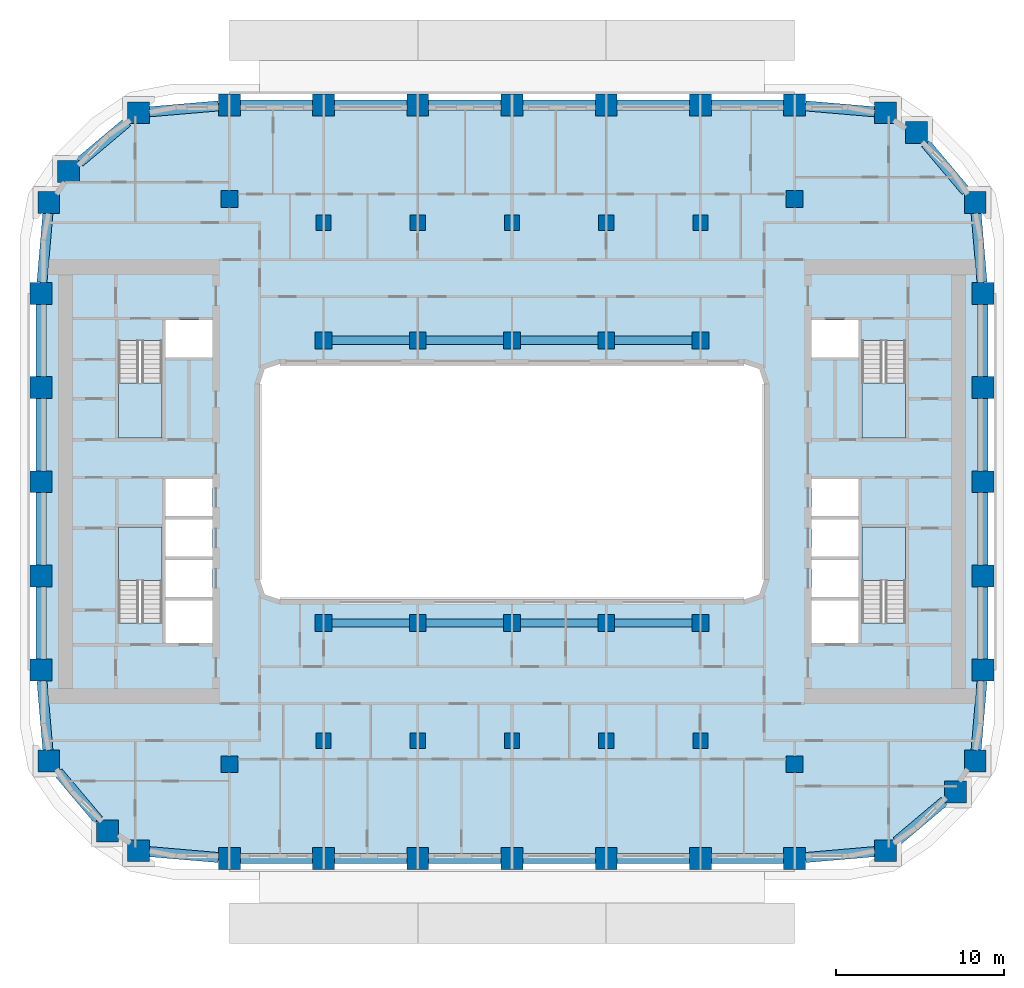
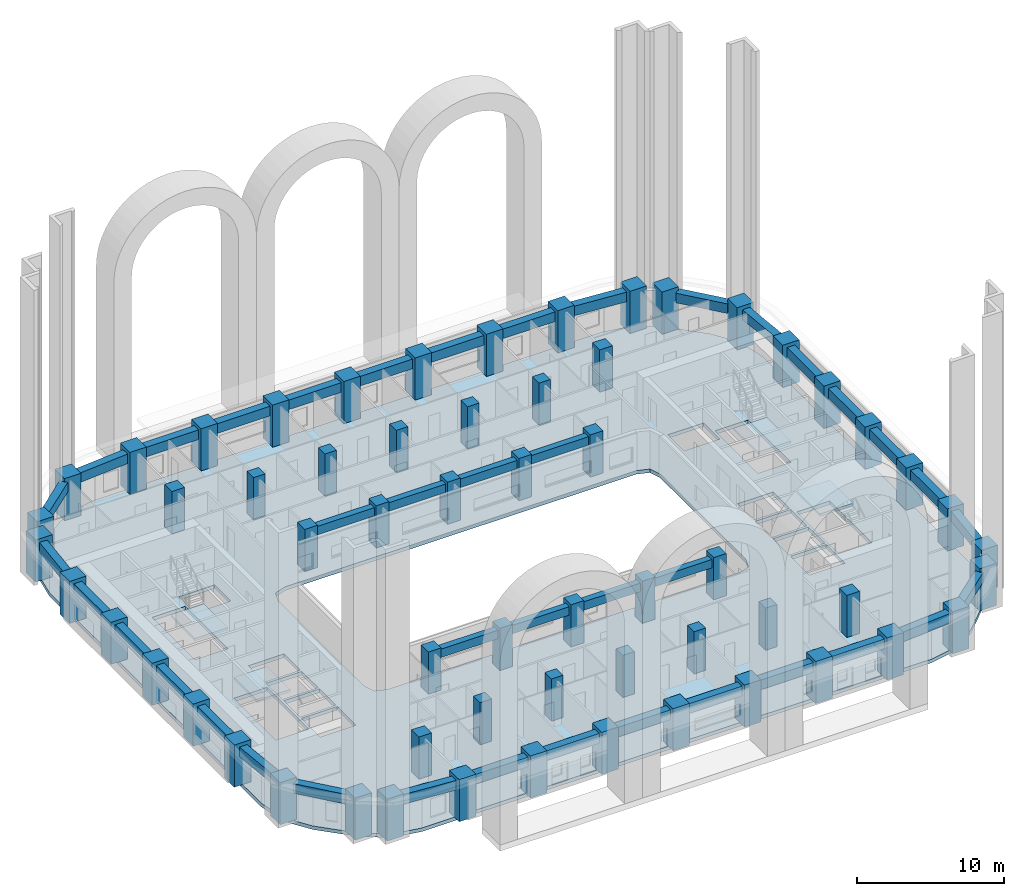
# One storey, part 1 of 19: 60 columns, 40 beams, 5 slabs, 4 elements without a shape of their own.
"""IFC4 building model written with IfcOpenShell, lengths in metres."""

from ifc_helpers import new_model, si_unit, direction, frame, origin, origin_2d, place, context, subcontext, project, spatial, polyline, rectangle, outline, extrude, material, layer, layer_set, material_profile, profile_set, type_object, element, aggregate, save


model = new_model("IFC4")

# Units and contexts
model_context = context("Model", 3, precision=1e-05, world=origin(), true_north=direction((0.0, 1.0)))
body_context = subcontext(model_context, "Body", "Model", "MODEL_VIEW")
ifc_project = project(units=[si_unit("LENGTHUNIT", "METRE"), si_unit("AREAUNIT", "SQUARE_METRE"), si_unit("VOLUMEUNIT", "CUBIC_METRE"), si_unit("PLANEANGLEUNIT", "RADIAN"), si_unit("MASSUNIT", "GRAM", prefix="KILO")], contexts=[model_context])

# Site, building, storey
site_placement = place(None, origin())
site = spatial("IfcSite", under=ifc_project, at=site_placement, CompositionType="ELEMENT")
building_placement = place(site_placement, origin())
building = spatial("IfcBuilding", under=site, at=building_placement, Name="Kiln Ring Residences", CompositionType="ELEMENT")
storey_placement = place(building_placement, frame((0.0, 0.0, 83.300048828125)))
storey = spatial("IfcBuildingStorey", under=building, at=storey_placement, Name="L20", CompositionType="ELEMENT", Elevation=83.300048828125)

# Columns
ifc_material_1 = material(Name="Concrete C80/95", Category="concrete")
ifc_material_profile_1 = material_profile(ifc_material_1, rectangle(XDim=0.89990234375, YDim=0.89990234375, at=origin_2d()), Name="RC900x900")
ifc_profile_set_1 = profile_set([ifc_material_profile_1], Name="Concrete C80/95")
column_type_1 = type_object("IfcColumnType", Name="Corridor column RC900x900 C80/95", PredefinedType="COLUMN", material=ifc_profile_set_1)
for number, where, z_axis, x_axis, name in (
    (1, (-11.199951171875, 15.39990234375, 0.0), (0.0, 0.0, 1.0), (1.0, 0.0, 0.0), "Corridor column L20 1"),
    (2, (-5.60009765625, 15.39990234375, 0.0), (0.0, 0.0, 1.0), (1.0, 0.0, 0.0), "Corridor column L20 2"),
    (3, (0.0, 15.39990234375, 0.0), (0.0, 0.0, 1.0), (1.0, 0.0, 0.0), "Corridor column L20 3"),
    (4, (5.60009765625, 15.39990234375, 0.0), (0.0, 0.0, 1.0), (1.0, 0.0, 0.0), "Corridor column L20 4"),
    (5, (11.199951171875, 15.39990234375, 0.0), (0.0, 0.0, 1.0), (1.0, 0.0, 0.0), "Corridor column L20 5"),
    (6, (-11.199951171875, -15.39990234375, 0.0), (0.0, 0.0, 1.0), (1.0, 0.0, 0.0), "Corridor column L20 6"),
    (7, (-5.60009765625, -15.39990234375, 0.0), (0.0, 0.0, 1.0), (1.0, 0.0, 0.0), "Corridor column L20 7"),
    (8, (0.0, -15.39990234375, 0.0), (0.0, 0.0, 1.0), (1.0, 0.0, 0.0), "Corridor column L20 8"),
    (9, (5.60009765625, -15.39990234375, 0.0), (0.0, 0.0, 1.0), (1.0, 0.0, 0.0), "Corridor column L20 9"),
    (10, (11.199951171875, -15.39990234375, 0.0), (0.0, 0.0, 1.0), (1.0, 0.0, 0.0), "Corridor column L20 10"),
):
    element("IfcColumn", number, at=place(storey_placement, frame(where, z_axis=z_axis, x_axis=x_axis)), inside=storey, type_object=column_type_1, Name=name, PredefinedType="COLUMN", context=body_context, shape_type="SweptSolid", body=[
        extrude(rectangle(XDim=0.89990234375, YDim=0.89990234375, at=origin_2d()), origin(), (0.0, 0.0, 1.0), 3.5),
    ])
ifc_material_2 = material(Name="Concrete C80/95", Category="concrete")
ifc_material_profile_2 = material_profile(ifc_material_2, rectangle(XDim=1.300048828125, YDim=1.300048828125, at=origin_2d()), Name="RC1300x1300")
ifc_profile_set_2 = profile_set([ifc_material_profile_2], Name="Concrete C80/95")
column_type_2 = type_object("IfcColumnType", Name="Perimeter column RC1300x1300 C80/95", PredefinedType="COLUMN", material=ifc_profile_set_2)
for number, where, z_axis, x_axis, name in (
    (11, (-22.208740234375, -21.93798828125, 0.0), (0.0, 0.0, 1.0), (1.0, 0.0, 0.0), "Perimeter column L20 1"),
    (12, (-16.800048828125, -22.39990234375, 0.0), (0.0, 0.0, 1.0), (1.0, 0.0, 0.0), "Perimeter column L20 2"),
    (13, (-11.199951171875, -22.39990234375, 0.0), (0.0, 0.0, 1.0), (1.0, 0.0, 0.0), "Perimeter column L20 3"),
    (14, (-5.60009765625, -22.39990234375, 0.0), (0.0, 0.0, 1.0), (1.0, 0.0, 0.0), "Perimeter column L20 4"),
    (15, (0.0, -22.39990234375, 0.0), (0.0, 0.0, 1.0), (1.0, 0.0, 0.0), "Perimeter column L20 5"),
    (16, (5.60009765625, -22.39990234375, 0.0), (0.0, 0.0, 1.0), (1.0, 0.0, 0.0), "Perimeter column L20 6"),
    (17, (11.199951171875, -22.39990234375, 0.0), (0.0, 0.0, 1.0), (1.0, 0.0, 0.0), "Perimeter column L20 7"),
    (18, (16.800048828125, -22.39990234375, 0.0), (0.0, 0.0, 1.0), (1.0, 0.0, 0.0), "Perimeter column L20 8"),
    (19, (22.208740234375, -21.93798828125, 0.0), (0.0, 0.0, 1.0), (1.0, 0.0, 0.0), "Perimeter column L20 9"),
    (20, (26.35986328125, -18.440185546875, 0.0), (0.0, 0.0, 1.0), (1.0, 0.0, 0.0), "Perimeter column L20 10"),
    (21, (27.5380859375, -16.608642578125, 0.0), (0.0, 0.0, 1.0), (1.0, 0.0, 0.0), "Perimeter column L20 11"),
    (22, (28.0, -11.199951171875, 0.0), (0.0, 0.0, 1.0), (1.0, 0.0, 0.0), "Perimeter column L20 12"),
    (23, (28.0, -5.60009765625, 0.0), (0.0, 0.0, 1.0), (1.0, 0.0, 0.0), "Perimeter column L20 13"),
    (24, (28.0, 0.0, 0.0), (0.0, 0.0, 1.0), (1.0, 0.0, 0.0), "Perimeter column L20 14"),
    (25, (28.0, 5.60009765625, 0.0), (0.0, 0.0, 1.0), (1.0, 0.0, 0.0), "Perimeter column L20 15"),
    (26, (28.0, 11.199951171875, 0.0), (0.0, 0.0, 1.0), (1.0, 0.0, 0.0), "Perimeter column L20 16"),
    (27, (27.5380859375, 16.608642578125, 0.0), (0.0, 0.0, 1.0), (1.0, 0.0, 0.0), "Perimeter column L20 17"),
    (28, (24.040283203125, 20.759765625, 0.0), (0.0, 0.0, 1.0), (1.0, 0.0, 0.0), "Perimeter column L20 18"),
    (29, (22.208740234375, 21.93798828125, 0.0), (0.0, 0.0, 1.0), (1.0, 0.0, 0.0), "Perimeter column L20 19"),
    (30, (16.800048828125, 22.39990234375, 0.0), (0.0, 0.0, 1.0), (1.0, 0.0, 0.0), "Perimeter column L20 20"),
    (31, (11.199951171875, 22.39990234375, 0.0), (0.0, 0.0, 1.0), (1.0, 0.0, 0.0), "Perimeter column L20 21"),
    (32, (5.60009765625, 22.39990234375, 0.0), (0.0, 0.0, 1.0), (1.0, 0.0, 0.0), "Perimeter column L20 22"),
    (33, (0.0, 22.39990234375, 0.0), (0.0, 0.0, 1.0), (1.0, 0.0, 0.0), "Perimeter column L20 23"),
    (34, (-5.60009765625, 22.39990234375, 0.0), (0.0, 0.0, 1.0), (1.0, 0.0, 0.0), "Perimeter column L20 24"),
    (35, (-11.199951171875, 22.39990234375, 0.0), (0.0, 0.0, 1.0), (1.0, 0.0, 0.0), "Perimeter column L20 25"),
    (36, (-16.800048828125, 22.39990234375, 0.0), (0.0, 0.0, 1.0), (1.0, 0.0, 0.0), "Perimeter column L20 26"),
    (37, (-22.208740234375, 21.93798828125, 0.0), (0.0, 0.0, 1.0), (1.0, 0.0, 0.0), "Perimeter column L20 27"),
    (38, (-26.35986328125, 18.440185546875, 0.0), (0.0, 0.0, 1.0), (1.0, 0.0, 0.0), "Perimeter column L20 28"),
    (39, (-27.5380859375, 16.608642578125, 0.0), (0.0, 0.0, 1.0), (1.0, 0.0, 0.0), "Perimeter column L20 29"),
    (40, (-28.0, 11.199951171875, 0.0), (0.0, 0.0, 1.0), (1.0, 0.0, 0.0), "Perimeter column L20 30"),
    (41, (-28.0, 5.60009765625, 0.0), (0.0, 0.0, 1.0), (1.0, 0.0, 0.0), "Perimeter column L20 31"),
    (42, (-28.0, 0.0, 0.0), (0.0, 0.0, 1.0), (1.0, 0.0, 0.0), "Perimeter column L20 32"),
    (43, (-28.0, -5.60009765625, 0.0), (0.0, 0.0, 1.0), (1.0, 0.0, 0.0), "Perimeter column L20 33"),
    (44, (-28.0, -11.199951171875, 0.0), (0.0, 0.0, 1.0), (1.0, 0.0, 0.0), "Perimeter column L20 34"),
    (45, (-27.5380859375, -16.608642578125, 0.0), (0.0, 0.0, 1.0), (1.0, 0.0, 0.0), "Perimeter column L20 35"),
    (46, (-24.040283203125, -20.759765625, 0.0), (0.0, 0.0, 1.0), (1.0, 0.0, 0.0), "Perimeter column L20 36"),
):
    element("IfcColumn", number, at=place(storey_placement, frame(where, z_axis=z_axis, x_axis=x_axis)), inside=storey, type_object=column_type_2, Name=name, PredefinedType="COLUMN", context=body_context, shape_type="SweptSolid", body=[
        extrude(rectangle(XDim=1.300048828125, YDim=1.300048828125, at=origin_2d()), origin(), (0.0, 0.0, 1.0), 3.5),
    ])
ifc_material_3 = material(Name="Concrete C80/95", Category="concrete")
ifc_material_profile_3 = material_profile(ifc_material_3, rectangle(XDim=1.0, YDim=1.0, at=origin_2d()), Name="RC1000x1000")
ifc_profile_set_3 = profile_set([ifc_material_profile_3], Name="Concrete C80/95")
column_type_3 = type_object("IfcColumnType", Name="Ring column RC1000x1000 C80/95", PredefinedType="COLUMN", material=ifc_profile_set_3)
for number, where, z_axis, x_axis, name in (
    (47, (-16.800048828125, -16.800048828125, 0.0), (0.0, 0.0, 1.0), (1.0, 0.0, 0.0), "Ring column L20 1"),
    (48, (-16.800048828125, 16.800048828125, 0.0), (0.0, 0.0, 1.0), (1.0, 0.0, 0.0), "Ring column L20 2"),
    (49, (-11.199951171875, -8.39990234375, 0.0), (0.0, 0.0, 1.0), (1.0, 0.0, 0.0), "Ring column L20 3"),
    (50, (-11.199951171875, 8.39990234375, 0.0), (0.0, 0.0, 1.0), (1.0, 0.0, 0.0), "Ring column L20 4"),
    (51, (-5.60009765625, -8.39990234375, 0.0), (0.0, 0.0, 1.0), (1.0, 0.0, 0.0), "Ring column L20 5"),
    (52, (-5.60009765625, 8.39990234375, 0.0), (0.0, 0.0, 1.0), (1.0, 0.0, 0.0), "Ring column L20 6"),
    (53, (0.0, -8.39990234375, 0.0), (0.0, 0.0, 1.0), (1.0, 0.0, 0.0), "Ring column L20 7"),
    (54, (0.0, 8.39990234375, 0.0), (0.0, 0.0, 1.0), (1.0, 0.0, 0.0), "Ring column L20 8"),
    (55, (5.60009765625, -8.39990234375, 0.0), (0.0, 0.0, 1.0), (1.0, 0.0, 0.0), "Ring column L20 9"),
    (56, (5.60009765625, 8.39990234375, 0.0), (0.0, 0.0, 1.0), (1.0, 0.0, 0.0), "Ring column L20 10"),
    (57, (11.199951171875, -8.39990234375, 0.0), (0.0, 0.0, 1.0), (1.0, 0.0, 0.0), "Ring column L20 11"),
    (58, (11.199951171875, 8.39990234375, 0.0), (0.0, 0.0, 1.0), (1.0, 0.0, 0.0), "Ring column L20 12"),
    (59, (16.800048828125, -16.800048828125, 0.0), (0.0, 0.0, 1.0), (1.0, 0.0, 0.0), "Ring column L20 13"),
    (60, (16.800048828125, 16.800048828125, 0.0), (0.0, 0.0, 1.0), (1.0, 0.0, 0.0), "Ring column L20 14"),
):
    element("IfcColumn", number, at=place(storey_placement, frame(where, z_axis=z_axis, x_axis=x_axis)), inside=storey, type_object=column_type_3, Name=name, PredefinedType="COLUMN", context=body_context, shape_type="SweptSolid", body=[
        extrude(rectangle(XDim=1.0, YDim=1.0, at=origin_2d()), origin(), (0.0, 0.0, 1.0), 3.5),
    ])

# Beams
ifc_material_4 = material(Name="Concrete C50/60", Category="concrete")
ifc_material_profile_4 = material_profile(ifc_material_4, rectangle(XDim=0.5, YDim=0.699951171875, at=origin_2d()), Name="RC500x700")
ifc_profile_set_4 = profile_set([ifc_material_profile_4], Name="Concrete C50/60")
beam_type_1 = type_object("IfcBeamType", Name="Ring beam RC500x700 C50/60", PredefinedType="BEAM", material=ifc_profile_set_4)
beam_1_placement = place(storey_placement, frame((-10.699951171875, -8.39990234375, 2.849853515625), z_axis=(1.0, 0.0, 0.0), x_axis=(0.0, 1.0, 0.0)))
element("IfcBeam", 61, at=beam_1_placement, inside=storey, type_object=beam_type_1, Name="Ring beam L20 1", PredefinedType="BEAM", context=body_context, shape_type="SweptSolid", body=[
    extrude(rectangle(XDim=0.5, YDim=0.699951171875, at=origin_2d()), origin(), (0.0, 0.0, 1.0), 4.599853515625),
])
for number, where, z_axis, x_axis, name in (
    (62, (-5.10009765625, -8.39990234375, 2.849853515625), (1.0, 0.0, 0.0), (0.0, 1.0, 0.0), "Ring beam L20 2"),
    (63, (0.5, -8.39990234375, 2.849853515625), (1.0, 0.0, 0.0), (0.0, 1.0, 0.0), "Ring beam L20 3"),
):
    element("IfcBeam", number, at=place(storey_placement, frame(where, z_axis=z_axis, x_axis=x_axis)), inside=storey, type_object=beam_type_1, Name=name, PredefinedType="BEAM", context=body_context, shape_type="SweptSolid", body=[
        extrude(rectangle(XDim=0.5, YDim=0.699951171875, at=origin_2d()), origin(), (0.0, 0.0, 1.0), 4.60009765625),
    ])
for number, where, z_axis, x_axis, name in (
    (64, (6.10009765625, -8.39990234375, 2.849853515625), (1.0, 0.0, 0.0), (0.0, 1.0, 0.0), "Ring beam L20 4"),
    (65, (-10.699951171875, 8.39990234375, 2.849853515625), (1.0, 0.0, 0.0), (0.0, 1.0, 0.0), "Ring beam L20 5"),
):
    element("IfcBeam", number, at=place(storey_placement, frame(where, z_axis=z_axis, x_axis=x_axis)), inside=storey, type_object=beam_type_1, Name=name, PredefinedType="BEAM", context=body_context, shape_type="SweptSolid", body=[
        extrude(rectangle(XDim=0.5, YDim=0.699951171875, at=origin_2d()), origin(), (0.0, 0.0, 1.0), 4.599853515625),
    ])
for number, where, z_axis, x_axis, name in (
    (66, (-5.10009765625, 8.39990234375, 2.849853515625), (1.0, 0.0, 0.0), (0.0, 1.0, 0.0), "Ring beam L20 6"),
    (67, (0.5, 8.39990234375, 2.849853515625), (1.0, 0.0, 0.0), (0.0, 1.0, 0.0), "Ring beam L20 7"),
):
    element("IfcBeam", number, at=place(storey_placement, frame(where, z_axis=z_axis, x_axis=x_axis)), inside=storey, type_object=beam_type_1, Name=name, PredefinedType="BEAM", context=body_context, shape_type="SweptSolid", body=[
        extrude(rectangle(XDim=0.5, YDim=0.699951171875, at=origin_2d()), origin(), (0.0, 0.0, 1.0), 4.60009765625),
    ])
beam_2_placement = place(storey_placement, frame((6.10009765625, 8.39990234375, 2.849853515625), z_axis=(1.0, 0.0, 0.0), x_axis=(0.0, 1.0, 0.0)))
element("IfcBeam", 68, at=beam_2_placement, inside=storey, type_object=beam_type_1, Name="Ring beam L20 8", PredefinedType="BEAM", context=body_context, shape_type="SweptSolid", body=[
    extrude(rectangle(XDim=0.5, YDim=0.699951171875, at=origin_2d()), origin(), (0.0, 0.0, 1.0), 4.599853515625),
])
ifc_material_5 = material(Name="Concrete C50/60", Category="concrete")
ifc_material_profile_5 = material_profile(ifc_material_5, rectangle(XDim=0.60009765625, YDim=0.800048828125, at=origin_2d()), Name="RC600x800")
ifc_profile_set_5 = profile_set([ifc_material_profile_5], Name="Concrete C50/60")
beam_type_2 = type_object("IfcBeamType", Name="Spandrel beam RC600x800 C50/60", PredefinedType="SPANDREL", material=ifc_profile_set_5)
beam_3_placement = place(storey_placement, frame((-21.55859375, -21.99365234375, 2.800048828125), z_axis=(0.99637423264, -0.085078719609, 0.0), x_axis=(0.085078719609, 0.99637423264, 0.0)))
element("IfcBeam", 69, at=beam_3_placement, inside=storey, type_object=beam_type_2, Name="Spandrel beam L20 1", PredefinedType="SPANDREL", context=body_context, shape_type="SweptSolid", body=[
    extrude(rectangle(XDim=0.60009765625, YDim=0.800048828125, at=origin_2d()), origin(), (0.0, 0.0, 1.0), 4.12353515625),
])
beam_4_placement = place(storey_placement, frame((-16.14990234375, -22.39990234375, 2.800048828125), z_axis=(1.0, 0.0, 0.0), x_axis=(0.0, 1.0, 0.0)))
element("IfcBeam", 70, at=beam_4_placement, inside=storey, type_object=beam_type_2, Name="Spandrel beam L20 2", PredefinedType="SPANDREL", context=body_context, shape_type="SweptSolid", body=[
    extrude(rectangle(XDim=0.60009765625, YDim=0.800048828125, at=origin_2d()), origin(), (0.0, 0.0, 1.0), 4.2998046875),
])
for number, where, z_axis, x_axis, name in (
    (71, (-10.550048828125, -22.39990234375, 2.800048828125), (1.0, 0.0, 0.0), (0.0, 1.0, 0.0), "Spandrel beam L20 3"),
    (72, (-4.949951171875, -22.39990234375, 2.800048828125), (1.0, 0.0, 0.0), (0.0, 1.0, 0.0), "Spandrel beam L20 4"),
    (73, (0.64990234375, -22.39990234375, 2.800048828125), (1.0, 0.0, 0.0), (0.0, 1.0, 0.0), "Spandrel beam L20 5"),
    (74, (6.25, -22.39990234375, 2.800048828125), (1.0, 0.0, 0.0), (0.0, 1.0, 0.0), "Spandrel beam L20 6"),
):
    element("IfcBeam", number, at=place(storey_placement, frame(where, z_axis=z_axis, x_axis=x_axis)), inside=storey, type_object=beam_type_2, Name=name, PredefinedType="SPANDREL", context=body_context, shape_type="SweptSolid", body=[
        extrude(rectangle(XDim=0.60009765625, YDim=0.800048828125, at=origin_2d()), origin(), (0.0, 0.0, 1.0), 4.300048828125),
    ])
beam_5_placement = place(storey_placement, frame((11.85009765625, -22.39990234375, 2.800048828125), z_axis=(1.0, 0.0, 0.0), x_axis=(0.0, 1.0, 0.0)))
element("IfcBeam", 75, at=beam_5_placement, inside=storey, type_object=beam_type_2, Name="Spandrel beam L20 7", PredefinedType="SPANDREL", context=body_context, shape_type="SweptSolid", body=[
    extrude(rectangle(XDim=0.60009765625, YDim=0.800048828125, at=origin_2d()), origin(), (0.0, 0.0, 1.0), 4.2998046875),
])
beam_6_placement = place(storey_placement, frame((17.449951171875, -22.344482421875, 2.800048828125), z_axis=(0.99637423264, 0.085078719609, 0.0), x_axis=(-0.085078719609, 0.99637423264, 0.0)))
element("IfcBeam", 76, at=beam_6_placement, inside=storey, type_object=beam_type_2, Name="Spandrel beam L20 8", PredefinedType="SPANDREL", context=body_context, shape_type="SweptSolid", body=[
    extrude(rectangle(XDim=0.60009765625, YDim=0.800048828125, at=origin_2d()), origin(), (0.0, 0.0, 1.0), 4.12353515625),
])
beam_7_placement = place(storey_placement, frame((22.858642578125, -21.390380859375, 2.800048828125), z_axis=(0.764720974908, 0.644361568171, 0.0), x_axis=(-0.644361568171, 0.764720974908, 0.0)))
element("IfcBeam", 77, at=beam_7_placement, inside=storey, type_object=beam_type_2, Name="Spandrel beam L20 9", PredefinedType="SPANDREL", context=body_context, shape_type="SweptSolid", body=[
    extrude(rectangle(XDim=0.60009765625, YDim=0.800048828125, at=origin_2d()), origin(), (0.0, 0.0, 1.0), 3.728271484375),
])
beam_8_placement = place(storey_placement, frame((27.593505859375, -15.958740234375, 2.800048828125), z_axis=(0.0851374964, 0.996369212043, 0.0), x_axis=(-0.996369212043, 0.0851374964, 0.0)))
element("IfcBeam", 78, at=beam_8_placement, inside=storey, type_object=beam_type_2, Name="Spandrel beam L20 10", PredefinedType="SPANDREL", context=body_context, shape_type="SweptSolid", body=[
    extrude(rectangle(XDim=0.60009765625, YDim=0.800048828125, at=origin_2d()), origin(), (0.0, 0.0, 1.0), 4.12353515625),
])
for number, where, z_axis, x_axis, name in (
    (79, (28.0, -10.550048828125, 2.800048828125), (0.0, 1.0, 0.0), (-1.0, 0.0, 0.0), "Spandrel beam L20 11"),
    (80, (28.0, -4.949951171875, 2.800048828125), (0.0, 1.0, 0.0), (-1.0, 0.0, 0.0), "Spandrel beam L20 12"),
    (81, (28.0, 0.64990234375, 2.800048828125), (0.0, 1.0, 0.0), (-1.0, 0.0, 0.0), "Spandrel beam L20 13"),
    (82, (28.0, 6.25, 2.800048828125), (0.0, 1.0, 0.0), (-1.0, 0.0, 0.0), "Spandrel beam L20 14"),
):
    element("IfcBeam", number, at=place(storey_placement, frame(where, z_axis=z_axis, x_axis=x_axis)), inside=storey, type_object=beam_type_2, Name=name, PredefinedType="SPANDREL", context=body_context, shape_type="SweptSolid", body=[
        extrude(rectangle(XDim=0.60009765625, YDim=0.800048828125, at=origin_2d()), origin(), (0.0, 0.0, 1.0), 4.300048828125),
    ])
beam_9_placement = place(storey_placement, frame((27.944580078125, 11.85009765625, 2.800048828125), z_axis=(-0.0851374964, 0.996369212043, 0.0), x_axis=(-0.996369212043, -0.0851374964, 0.0)))
element("IfcBeam", 83, at=beam_9_placement, inside=storey, type_object=beam_type_2, Name="Spandrel beam L20 15", PredefinedType="SPANDREL", context=body_context, shape_type="SweptSolid", body=[
    extrude(rectangle(XDim=0.60009765625, YDim=0.800048828125, at=origin_2d()), origin(), (0.0, 0.0, 1.0), 4.12353515625),
])
beam_10_placement = place(storey_placement, frame((26.990478515625, 17.2587890625, 2.800048828125), z_axis=(-0.644399860611, 0.764688707674, 0.0), x_axis=(-0.764688707674, -0.644399860611, 0.0)))
element("IfcBeam", 84, at=beam_10_placement, inside=storey, type_object=beam_type_2, Name="Spandrel beam L20 16", PredefinedType="SPANDREL", context=body_context, shape_type="SweptSolid", body=[
    extrude(rectangle(XDim=0.60009765625, YDim=0.800048828125, at=origin_2d()), origin(), (0.0, 0.0, 1.0), 3.728515625),
])
beam_11_placement = place(storey_placement, frame((21.55859375, 21.99365234375, 2.800048828125), z_axis=(-0.99637423264, 0.085078719609, 0.0), x_axis=(-0.085078719609, -0.99637423264, 0.0)))
element("IfcBeam", 85, at=beam_11_placement, inside=storey, type_object=beam_type_2, Name="Spandrel beam L20 17", PredefinedType="SPANDREL", context=body_context, shape_type="SweptSolid", body=[
    extrude(rectangle(XDim=0.60009765625, YDim=0.800048828125, at=origin_2d()), origin(), (0.0, 0.0, 1.0), 4.12353515625),
])
beam_12_placement = place(storey_placement, frame((16.14990234375, 22.39990234375, 2.800048828125), z_axis=(-1.0, 0.0, 0.0), x_axis=(0.0, -1.0, 0.0)))
element("IfcBeam", 86, at=beam_12_placement, inside=storey, type_object=beam_type_2, Name="Spandrel beam L20 18", PredefinedType="SPANDREL", context=body_context, shape_type="SweptSolid", body=[
    extrude(rectangle(XDim=0.60009765625, YDim=0.800048828125, at=origin_2d()), origin(), (0.0, 0.0, 1.0), 4.2998046875),
])
for number, where, z_axis, x_axis, name in (
    (87, (10.550048828125, 22.39990234375, 2.800048828125), (-1.0, 0.0, 0.0), (0.0, -1.0, 0.0), "Spandrel beam L20 19"),
    (88, (4.949951171875, 22.39990234375, 2.800048828125), (-1.0, 0.0, 0.0), (0.0, -1.0, 0.0), "Spandrel beam L20 20"),
    (89, (-0.64990234375, 22.39990234375, 2.800048828125), (-1.0, 0.0, 0.0), (0.0, -1.0, 0.0), "Spandrel beam L20 21"),
    (90, (-6.25, 22.39990234375, 2.800048828125), (-1.0, 0.0, 0.0), (0.0, -1.0, 0.0), "Spandrel beam L20 22"),
):
    element("IfcBeam", number, at=place(storey_placement, frame(where, z_axis=z_axis, x_axis=x_axis)), inside=storey, type_object=beam_type_2, Name=name, PredefinedType="SPANDREL", context=body_context, shape_type="SweptSolid", body=[
        extrude(rectangle(XDim=0.60009765625, YDim=0.800048828125, at=origin_2d()), origin(), (0.0, 0.0, 1.0), 4.300048828125),
    ])
beam_13_placement = place(storey_placement, frame((-11.85009765625, 22.39990234375, 2.800048828125), z_axis=(-1.0, 0.0, 0.0), x_axis=(0.0, -1.0, 0.0)))
element("IfcBeam", 91, at=beam_13_placement, inside=storey, type_object=beam_type_2, Name="Spandrel beam L20 23", PredefinedType="SPANDREL", context=body_context, shape_type="SweptSolid", body=[
    extrude(rectangle(XDim=0.60009765625, YDim=0.800048828125, at=origin_2d()), origin(), (0.0, 0.0, 1.0), 4.2998046875),
])
beam_14_placement = place(storey_placement, frame((-17.449951171875, 22.344482421875, 2.800048828125), z_axis=(-0.99637423264, -0.085078719609, 0.0), x_axis=(0.085078719609, -0.99637423264, 0.0)))
element("IfcBeam", 92, at=beam_14_placement, inside=storey, type_object=beam_type_2, Name="Spandrel beam L20 24", PredefinedType="SPANDREL", context=body_context, shape_type="SweptSolid", body=[
    extrude(rectangle(XDim=0.60009765625, YDim=0.800048828125, at=origin_2d()), origin(), (0.0, 0.0, 1.0), 4.12353515625),
])
beam_15_placement = place(storey_placement, frame((-22.858642578125, 21.390380859375, 2.800048828125), z_axis=(-0.764720974908, -0.644361568171, 0.0), x_axis=(0.644361568171, -0.764720974908, 0.0)))
element("IfcBeam", 93, at=beam_15_placement, inside=storey, type_object=beam_type_2, Name="Spandrel beam L20 25", PredefinedType="SPANDREL", context=body_context, shape_type="SweptSolid", body=[
    extrude(rectangle(XDim=0.60009765625, YDim=0.800048828125, at=origin_2d()), origin(), (0.0, 0.0, 1.0), 3.728271484375),
])
beam_16_placement = place(storey_placement, frame((-27.593505859375, 15.958740234375, 2.800048828125), z_axis=(-0.0851374964, -0.996369212043, 0.0), x_axis=(0.996369212043, -0.0851374964, 0.0)))
element("IfcBeam", 94, at=beam_16_placement, inside=storey, type_object=beam_type_2, Name="Spandrel beam L20 26", PredefinedType="SPANDREL", context=body_context, shape_type="SweptSolid", body=[
    extrude(rectangle(XDim=0.60009765625, YDim=0.800048828125, at=origin_2d()), origin(), (0.0, 0.0, 1.0), 4.12353515625),
])
for number, where, z_axis, x_axis, name in (
    (95, (-28.0, 10.550048828125, 2.800048828125), (0.0, -1.0, 0.0), (1.0, 0.0, 0.0), "Spandrel beam L20 27"),
    (96, (-28.0, 4.949951171875, 2.800048828125), (0.0, -1.0, 0.0), (1.0, 0.0, 0.0), "Spandrel beam L20 28"),
    (97, (-28.0, -0.64990234375, 2.800048828125), (0.0, -1.0, 0.0), (1.0, 0.0, 0.0), "Spandrel beam L20 29"),
    (98, (-28.0, -6.25, 2.800048828125), (0.0, -1.0, 0.0), (1.0, 0.0, 0.0), "Spandrel beam L20 30"),
):
    element("IfcBeam", number, at=place(storey_placement, frame(where, z_axis=z_axis, x_axis=x_axis)), inside=storey, type_object=beam_type_2, Name=name, PredefinedType="SPANDREL", context=body_context, shape_type="SweptSolid", body=[
        extrude(rectangle(XDim=0.60009765625, YDim=0.800048828125, at=origin_2d()), origin(), (0.0, 0.0, 1.0), 4.300048828125),
    ])
beam_17_placement = place(storey_placement, frame((-27.944580078125, -11.85009765625, 2.800048828125), z_axis=(0.0851374964, -0.996369212043, 0.0), x_axis=(0.996369212043, 0.0851374964, 0.0)))
element("IfcBeam", 99, at=beam_17_placement, inside=storey, type_object=beam_type_2, Name="Spandrel beam L20 31", PredefinedType="SPANDREL", context=body_context, shape_type="SweptSolid", body=[
    extrude(rectangle(XDim=0.60009765625, YDim=0.800048828125, at=origin_2d()), origin(), (0.0, 0.0, 1.0), 4.12353515625),
])
beam_18_placement = place(storey_placement, frame((-26.990478515625, -17.2587890625, 2.800048828125), z_axis=(0.644399860611, -0.764688707674, 0.0), x_axis=(0.764688707674, 0.644399860611, 0.0)))
element("IfcBeam", 100, at=beam_18_placement, inside=storey, type_object=beam_type_2, Name="Spandrel beam L20 32", PredefinedType="SPANDREL", context=body_context, shape_type="SweptSolid", body=[
    extrude(rectangle(XDim=0.60009765625, YDim=0.800048828125, at=origin_2d()), origin(), (0.0, 0.0, 1.0), 3.728515625),
])

# Stair, slab
ifc_material_6 = material(Name="Concrete C40/50", Category="concrete")
stair_type = type_object("IfcStairType", Name="CORE-STAIR", PredefinedType="HALF_TURN_STAIR", material=ifc_material_6)
placement_1 = place(storey_placement, origin())
stair_1 = element("IfcStair", 101, at=placement_1, inside=storey, type_object=stair_type, Name="L20 stair W-STN", PredefinedType="HALF_TURN_STAIR")
ifc_material_7 = material(Name="Concrete C40/50", Category="concrete")
ifc_layer_1 = layer(ifc_material_7, 0.199951171875)
ifc_layer_set_1 = layer_set([ifc_layer_1], Name="CORE-STAIR-LANDING")
slab_type_1 = type_object("IfcSlabType", Name="CORE-STAIR-LANDING", PredefinedType="LANDING", material=ifc_layer_set_1)
placement_2 = place(storey_placement, frame((0.0, 0.0, 1.550048828125)))
slab_1 = element("IfcSlab", 102, at=placement_2, type_object=slab_type_1, Name="W-STN landing 1", PredefinedType="LANDING", context=body_context, shape_type="SweptSolid", body=[
    extrude(outline(polyline([(-23.39990234375, 5.8798828125), (-23.39990234375, 2.60009765625), (-20.800048828125, 2.60009765625), (-20.800048828125, 5.8798828125), (-23.39990234375, 5.8798828125)])), origin(), (0.0, 0.0, 1.0), 0.199951171875),
])
aggregate(stair_1, [slab_1])

stair_2 = element("IfcStair", 103, at=placement_1, inside=storey, type_object=stair_type, Name="L20 stair W-STS", PredefinedType="HALF_TURN_STAIR")
slab_2 = element("IfcSlab", 104, at=placement_2, type_object=slab_type_1, Name="W-STS landing 1", PredefinedType="LANDING", context=body_context, shape_type="SweptSolid", body=[
    extrude(outline(polyline([(-20.800048828125, -5.8798828125), (-20.800048828125, -2.699951171875), (-23.39990234375, -2.699951171875), (-23.39990234375, -5.8798828125), (-20.800048828125, -5.8798828125)])), origin(), (0.0, 0.0, 1.0), 0.199951171875),
])
aggregate(stair_2, [slab_2])

stair_3 = element("IfcStair", 105, at=placement_1, inside=storey, type_object=stair_type, Name="L20 stair E-STN", PredefinedType="HALF_TURN_STAIR")
slab_3 = element("IfcSlab", 106, at=placement_2, type_object=slab_type_1, Name="E-STN landing 1", PredefinedType="LANDING", context=body_context, shape_type="SweptSolid", body=[
    extrude(outline(polyline([(20.800048828125, 5.8798828125), (20.800048828125, 2.60009765625), (23.39990234375, 2.60009765625), (23.39990234375, 5.8798828125), (20.800048828125, 5.8798828125)])), origin(), (0.0, 0.0, 1.0), 0.199951171875),
])
aggregate(stair_3, [slab_3])

stair_4 = element("IfcStair", 107, at=placement_1, inside=storey, type_object=stair_type, Name="L20 stair E-STS", PredefinedType="HALF_TURN_STAIR")
slab_4 = element("IfcSlab", 108, at=placement_2, type_object=slab_type_1, Name="E-STS landing 1", PredefinedType="LANDING", context=body_context, shape_type="SweptSolid", body=[
    extrude(outline(polyline([(23.39990234375, -5.8798828125), (23.39990234375, -2.699951171875), (20.800048828125, -2.699951171875), (20.800048828125, -5.8798828125), (23.39990234375, -5.8798828125)])), origin(), (0.0, 0.0, 1.0), 0.199951171875),
])
aggregate(stair_4, [slab_4])

# Slab
ifc_material_8 = material(Name="Concrete C40/50", Category="concrete")
ifc_layer_2 = layer(ifc_material_8, 0.300048828125)
ifc_layer_set_2 = layer_set([ifc_layer_2], Name="Floor slab 300")
slab_type_2 = type_object("IfcSlabType", Name="Floor slab 300", PredefinedType="FLOOR", material=ifc_layer_set_2)
slab_5_placement = place(storey_placement, frame((0.0, 0.0, -0.300048828125)))
element("IfcSlab", 109, at=slab_5_placement, inside=storey, type_object=slab_type_2, Name="Floor slab L20 1", PredefinedType="FLOOR", context=body_context, shape_type="SweptSolid", body=[
    extrude(outline(polyline([(-26.302978515625, -18.4970703125), (-24.09716796875, -20.702880859375), (-22.224365234375, -21.975830078125), (-20.0, -22.39990234375), (20.0, -22.39990234375), (22.224365234375, -21.975830078125), (24.09716796875, -20.702880859375), (26.302978515625, -18.4970703125), (27.57568359375, -16.624267578125), (28.0, -14.39990234375), (28.0, 14.39990234375), (27.57568359375, 16.624267578125), (26.302978515625, 18.4970703125), (24.09716796875, 20.702880859375), (22.224365234375, 21.975830078125), (20.0, 22.39990234375), (-20.0, 22.39990234375), (-22.224365234375, 21.975830078125), (-24.09716796875, 20.702880859375), (-26.302978515625, 18.4970703125), (-27.57568359375, 16.624267578125), (-28.0, 14.39990234375), (-28.0, -14.39990234375), (-27.57568359375, -16.624267578125), (-26.302978515625, -18.4970703125)]), holes=[polyline([(-14.699951171875, -6.699951171875), (-15.0, -5.800048828125), (-15.0, 5.800048828125), (-14.699951171875, 6.699951171875), (-13.800048828125, 7.0), (13.800048828125, 7.0), (14.699951171875, 6.699951171875), (15.0, 5.800048828125), (15.0, -5.800048828125), (14.699951171875, -6.699951171875), (13.800048828125, -7.0), (-13.800048828125, -7.0), (-14.699951171875, -6.699951171875)]), polyline([(20.800048828125, -8.39794921875), (20.800048828125, -2.699951171875), (23.39990234375, -2.699951171875), (23.39990234375, -8.39794921875), (20.800048828125, -8.39794921875)]), polyline([(20.800048828125, 2.60009765625), (20.800048828125, 8.39794921875), (23.39990234375, 8.39794921875), (23.39990234375, 2.60009765625), (20.800048828125, 2.60009765625)]), polyline([(17.800048828125, -6.85009765625), (17.800048828125, -4.64990234375), (20.60009765625, -4.64990234375), (20.60009765625, -6.85009765625), (17.800048828125, -6.85009765625)]), polyline([(17.800048828125, -4.449951171875), (17.800048828125, -2.25), (20.60009765625, -2.25), (20.60009765625, -4.449951171875), (17.800048828125, -4.449951171875)]), polyline([(17.800048828125, -2.050048828125), (17.800048828125, 0.14990234375), (20.60009765625, 0.14990234375), (20.60009765625, -2.050048828125), (17.800048828125, -2.050048828125)]), polyline([(17.800048828125, 7.39990234375), (17.800048828125, 9.60009765625), (20.60009765625, 9.60009765625), (20.60009765625, 7.39990234375), (17.800048828125, 7.39990234375)]), polyline([(20.60009765625, -9.60009765625), (17.800048828125, -9.60009765625), (17.800048828125, -7.050048828125), (20.60009765625, -7.050048828125), (20.60009765625, -9.60009765625)]), polyline([(-17.800048828125, -7.050048828125), (-17.800048828125, -9.60009765625), (-20.60009765625, -9.60009765625), (-20.60009765625, -7.050048828125), (-17.800048828125, -7.050048828125)]), polyline([(-17.800048828125, -6.85009765625), (-20.60009765625, -6.85009765625), (-20.60009765625, -4.64990234375), (-17.800048828125, -4.64990234375), (-17.800048828125, -6.85009765625)]), polyline([(-17.800048828125, -4.449951171875), (-20.60009765625, -4.449951171875), (-20.60009765625, -2.25), (-17.800048828125, -2.25), (-17.800048828125, -4.449951171875)]), polyline([(-17.800048828125, -2.050048828125), (-20.60009765625, -2.050048828125), (-20.60009765625, 0.14990234375), (-17.800048828125, 0.14990234375), (-17.800048828125, -2.050048828125)]), polyline([(-17.800048828125, 7.39990234375), (-20.60009765625, 7.39990234375), (-20.60009765625, 9.60009765625), (-17.800048828125, 9.60009765625), (-17.800048828125, 7.39990234375)]), polyline([(-20.800048828125, -8.39794921875), (-23.39990234375, -8.39794921875), (-23.39990234375, -2.699951171875), (-20.800048828125, -2.699951171875), (-20.800048828125, -8.39794921875)]), polyline([(-20.800048828125, 2.60009765625), (-23.39990234375, 2.60009765625), (-23.39990234375, 8.39794921875), (-20.800048828125, 8.39794921875), (-20.800048828125, 2.60009765625)])]), origin(), (0.0, 0.0, 1.0), 0.300048828125),
])

save(model, "model.ifc")
